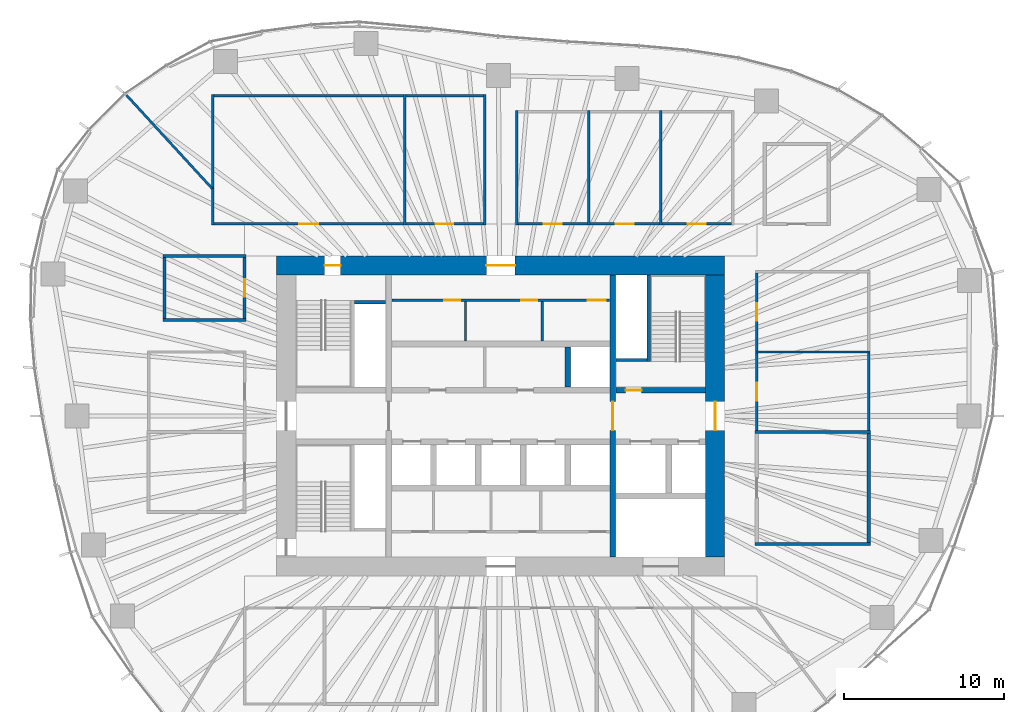
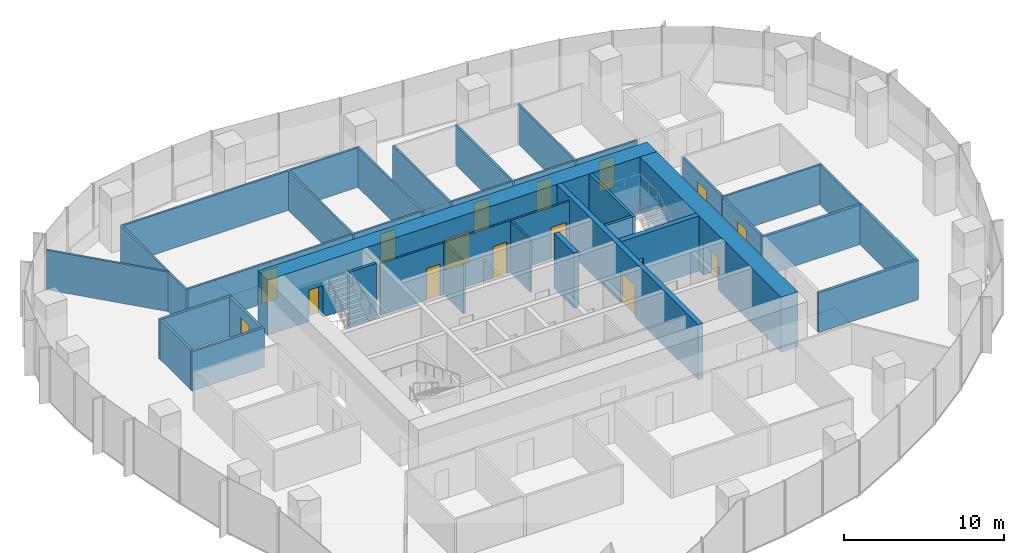
# One storey, part 10 of 18: 36 walls, 16 doors, 16 openings.
"""IFC4 building model written with IfcOpenShell, lengths in metres."""

from ifc_helpers import new_model, si_unit, direction, frame, frame_2d, origin, place, context, subcontext, project, spatial, rectangle, extrude, material, layer, layer_set, type_object, element, fill, save


model = new_model("IFC4")

# Units and contexts
model_context = context("Model", 3, precision=1e-05, world=origin(), true_north=direction((0.0, 1.0)))
body_context = subcontext(model_context, "Body", "Model", "MODEL_VIEW")
ifc_project = project(units=[si_unit("LENGTHUNIT", "METRE"), si_unit("AREAUNIT", "SQUARE_METRE"), si_unit("VOLUMEUNIT", "CUBIC_METRE"), si_unit("PLANEANGLEUNIT", "RADIAN"), si_unit("MASSUNIT", "GRAM", prefix="KILO")], contexts=[model_context])

# Site, building, storey
site_placement = place(None, origin())
site = spatial("IfcSite", under=ifc_project, at=site_placement, CompositionType="ELEMENT")
building_placement = place(site_placement, origin())
building = spatial("IfcBuilding", under=site, at=building_placement, Name="Ghaith Harvest Tower", CompositionType="ELEMENT")
storey_placement = place(building_placement, frame((0.0, 0.0, 117.60009765625)))
storey = spatial("IfcBuildingStorey", under=building, at=storey_placement, Name="L24", CompositionType="ELEMENT", Elevation=117.60009765625)

# Walls
ifc_material_1 = material(Name="Twin-stud gypsum board, acoustic", Category="gypsum")
ifc_layer_1 = layer(ifc_material_1, 0.199951171875)
ifc_layer_set_1 = layer_set([ifc_layer_1], Name="ACOUSTIC PARTITION 200")
wall_type_1 = type_object("IfcWallType", Name="ACOUSTIC PARTITION 200", PredefinedType="PARTITIONING", material=ifc_layer_set_1)
for number, where, z_axis, x_axis, name in (
    (1, (15.89990234375, -8.0, 0.0), (0.0, 0.0, 1.0), (1.0, 0.0, 0.0), "Partition L24 row E5 cross wall 1"),
    (2, (15.89990234375, -1.0, 0.0), (0.0, 0.0, 1.0), (1.0, 0.0, 0.0), "Partition L24 row E5 cross wall 2"),
):
    element("IfcWall", number, at=place(storey_placement, frame(where, z_axis=z_axis, x_axis=x_axis)), inside=storey, type_object=wall_type_1, Name=name, PredefinedType="PARTITIONING", context=body_context, shape_type="SweptSolid", body=[
        extrude(rectangle(XDim=7.2001953125, YDim=0.199951171875, at=frame_2d((3.60009765625, 0.0))), origin(), (0.0, 0.0, 1.0), 3.0),
    ])
wall_1_placement = place(storey_placement, frame((23.0, -7.89990234375, 0.0), z_axis=(0.0, 0.0, 1.0), x_axis=(0.0, 1.0, 0.0)))
element("IfcWall", 3, at=wall_1_placement, inside=storey, type_object=wall_type_1, Name="Partition L24-10", PredefinedType="PARTITIONING", context=body_context, shape_type="SweptSolid", body=[
    extrude(rectangle(XDim=6.7998046875, YDim=0.199951171875, at=frame_2d((3.39990234375, 0.0))), origin(), (0.0, 0.0, 1.0), 3.0),
])
for number, where, z_axis, x_axis, name in (
    (4, (-15.89990234375, 6.0, 0.0), (0.0, 0.0, 1.0), (-1.0, 0.0, 0.0), "Partition L24 row W8 cross wall 1"),
    (5, (-15.89990234375, 10.0, 0.0), (0.0, 0.0, 1.0), (-1.0, 0.0, 0.0), "Partition L24 row W8 cross wall 2"),
):
    element("IfcWall", number, at=place(storey_placement, frame(where, z_axis=z_axis, x_axis=x_axis)), inside=storey, type_object=wall_type_1, Name=name, PredefinedType="PARTITIONING", context=body_context, shape_type="SweptSolid", body=[
        extrude(rectangle(XDim=5.2001953125, YDim=0.199951171875, at=frame_2d((2.60009765625, 0.0))), origin(), (0.0, 0.0, 1.0), 3.0),
    ])

# Wall, opening, door
wall_2_placement = place(storey_placement, frame((-16.0, 6.10009765625, 0.0), z_axis=(0.0, 0.0, 1.0), x_axis=(0.0, 1.0, 0.0)))
wall_2 = element("IfcWall", 6, at=wall_2_placement, inside=storey, type_object=wall_type_1, Name="Partition L24-16", PredefinedType="PARTITIONING", context=body_context, shape_type="SweptSolid", body=[
    extrude(rectangle(XDim=3.7998046875, YDim=0.199951171875, at=frame_2d((1.89990234375, 0.0))), origin(), (0.0, 0.0, 1.0), 3.0),
])
opening_1_placement = place(wall_2_placement, frame((1.35009765625, 0.0, 0.0)))
opening_1 = element("IfcOpeningElement", 7, at=opening_1_placement, cuts=wall_2, Name="Opening 24-041", PredefinedType="OPENING", context=body_context, shape_type="SweptSolid", body=[
    extrude(rectangle(XDim=1.10009765625, YDim=2.300048828125, at=frame_2d((0.550048828125, 1.14990234375))), frame((0.0, 0.10986328125, 0.0), z_axis=(0.0, -1.0, 0.0), x_axis=(1.0, 0.0, 0.0)), (0.0, 0.0, 1.0), 0.219970703125),
])
ifc_material_2 = material(Name="Timber-framed glazed door", Category="wood")
door_type_1 = type_object("IfcDoorType", Name="D12 GLAZED OFFICE 1100x2300", OperationType="SINGLE_SWING_LEFT", PredefinedType="DOOR", material=ifc_material_2)
door_1_placement = place(opening_1_placement, origin())
door_1 = element("IfcDoor", 8, at=door_1_placement, inside=storey, type_object=door_type_1, Name="Quiet room door", OperationType="SINGLE_SWING_LEFT", OverallHeight=2.300048828125, OverallWidth=1.10009765625, PredefinedType="DOOR", context=body_context, shape_type="SweptSolid", body=[
    extrude(rectangle(XDim=1.10009765625, YDim=2.300048828125, at=frame_2d((0.550048828125, 1.14990234375))), frame((0.0, 0.02490234375, 0.0), z_axis=(0.0, -1.0, 0.0), x_axis=(1.0, 0.0, 0.0)), (0.0, 0.0, 1.0), 0.050048828125),
])
fill(opening_1, door_1)

# Wall
wall_3_placement = place(storey_placement, frame((-21.0, 6.10009765625, 0.0), z_axis=(0.0, 0.0, 1.0), x_axis=(0.0, 1.0, 0.0)))
element("IfcWall", 9, at=wall_3_placement, inside=storey, type_object=wall_type_1, Name="Partition L24-16", PredefinedType="PARTITIONING", context=body_context, shape_type="SweptSolid", body=[
    extrude(rectangle(XDim=3.7998046875, YDim=0.199951171875, at=frame_2d((1.89990234375, 0.0))), origin(), (0.0, 0.0, 1.0), 3.0),
])

# Wall, openings, doors
ifc_material_3 = material(Name="Concrete blockwork, fair-faced", Category="masonry")
ifc_layer_2 = layer(ifc_material_3, 0.139892578125)
ifc_layer_set_2 = layer_set([ifc_layer_2], Name="CORE PARTITION 140")
wall_type_2 = type_object("IfcWallType", Name="CORE PARTITION 140", PredefinedType="PARTITIONING", material=ifc_layer_set_2)
wall_4_placement = place(storey_placement, frame((-6.800048828125, 7.22998046875, 0.0), z_axis=(0.0, 0.0, 1.0), x_axis=(1.0, 0.0, 0.0)))
wall_4 = element("IfcWall", 10, at=wall_4_placement, inside=storey, type_object=wall_type_2, Name="Core partition L24", PredefinedType="PARTITIONING", context=body_context, shape_type="SweptSolid", body=[
    extrude(rectangle(XDim=13.60009765625, YDim=0.139892578125, at=frame_2d((6.800048828125, 0.0))), origin(), (0.0, 0.0, 1.0), 3.949951171875),
])
opening_2_placement = place(wall_4_placement, frame((3.280029296875, 0.0, 0.0)))
opening_2 = element("IfcOpeningElement", 11, at=opening_2_placement, cuts=wall_4, Name="Opening 24-008", PredefinedType="OPENING", context=body_context, shape_type="SweptSolid", body=[
    extrude(rectangle(XDim=1.0, YDim=2.39990234375, at=frame_2d((0.5, 1.199951171875))), frame((0.0, 0.080078125, 0.0), z_axis=(0.0, -1.0, 0.0), x_axis=(1.0, 0.0, 0.0)), (0.0, 0.0, 1.0), 0.159912109375),
])
opening_3_placement = place(wall_4_placement, frame((8.080078125, 0.0, 0.0)))
opening_3 = element("IfcOpeningElement", 12, at=opening_3_placement, cuts=wall_4, Name="Opening 24-009", PredefinedType="OPENING", context=body_context, shape_type="SweptSolid", body=[
    extrude(rectangle(XDim=1.0, YDim=2.39990234375, at=frame_2d((0.5, 1.199951171875))), frame((0.0, 0.080078125, 0.0), z_axis=(0.0, -1.0, 0.0), x_axis=(1.0, 0.0, 0.0)), (0.0, 0.0, 1.0), 0.159912109375),
])
opening_4_placement = place(wall_4_placement, frame((12.25, 0.0, 0.0)))
opening_4 = element("IfcOpeningElement", 13, at=opening_4_placement, cuts=wall_4, Name="Opening 24-010", PredefinedType="OPENING", context=body_context, shape_type="SweptSolid", body=[
    extrude(rectangle(XDim=1.10009765625, YDim=2.39990234375, at=frame_2d((0.550048828125, 1.199951171875))), frame((0.0, 0.080078125, 0.0), z_axis=(0.0, -1.0, 0.0), x_axis=(1.0, 0.0, 0.0)), (0.0, 0.0, 1.0), 0.159912109375),
])
ifc_material_4 = material(Name="Steel fire door", Category="steel")
door_type_2 = type_object("IfcDoorType", Name="D3 FD90 1000x2400", OperationType="SINGLE_SWING_LEFT", PredefinedType="DOOR", material=ifc_material_4)
door_2_placement = place(opening_2_placement, origin())
door_2 = element("IfcDoor", 14, at=door_2_placement, inside=storey, type_object=door_type_2, Name="Female WC door", OperationType="SINGLE_SWING_LEFT", OverallHeight=2.39990234375, OverallWidth=1.0, PredefinedType="DOOR", context=body_context, shape_type="SweptSolid", body=[
    extrude(rectangle(XDim=1.0, YDim=2.39990234375, at=frame_2d((0.5, 1.199951171875))), frame((0.0, 0.02490234375, 0.0), z_axis=(0.0, -1.0, 0.0), x_axis=(1.0, 0.0, 0.0)), (0.0, 0.0, 1.0), 0.050048828125),
])
fill(opening_2, door_2)
door_3_placement = place(opening_3_placement, origin())
door_3 = element("IfcDoor", 15, at=door_3_placement, inside=storey, type_object=door_type_2, Name="Male WC door", OperationType="SINGLE_SWING_RIGHT", OverallHeight=2.39990234375, OverallWidth=1.0, PredefinedType="DOOR", context=body_context, shape_type="SweptSolid", body=[
    extrude(rectangle(XDim=1.0, YDim=2.39990234375, at=frame_2d((0.5, 1.199951171875))), frame((0.0, 0.02490234375, 0.0), z_axis=(0.0, -1.0, 0.0), x_axis=(1.0, 0.0, 0.0)), (0.0, 0.0, 1.0), 0.050048828125),
])
fill(opening_3, door_3)
ifc_material_5 = material(Name="Steel fire door", Category="steel")
door_type_3 = type_object("IfcDoorType", Name="D9 FD90 1100x2400", OperationType="SINGLE_SWING_LEFT", PredefinedType="DOOR", material=ifc_material_5)
door_4_placement = place(opening_4_placement, origin())
door_4 = element("IfcDoor", 16, at=door_4_placement, inside=storey, type_object=door_type_3, Name="Accessible WC door", OperationType="SINGLE_SWING_RIGHT", OverallHeight=2.39990234375, OverallWidth=1.10009765625, PredefinedType="DOOR", context=body_context, shape_type="SweptSolid", body=[
    extrude(rectangle(XDim=1.10009765625, YDim=2.39990234375, at=frame_2d((0.550048828125, 1.199951171875))), frame((0.0, 0.02490234375, 0.0), z_axis=(0.0, -1.0, 0.0), x_axis=(1.0, 0.0, 0.0)), (0.0, 0.0, 1.0), 0.050048828125),
])
fill(opening_4, door_4)

# Walls
for number, where, z_axis, x_axis, name in (
    (17, (-2.199951171875, 4.699951171875, 0.0), (0.0, 0.0, 1.0), (0.0, 1.0, 0.0), "Core partition L24"),
    (18, (2.60009765625, 4.699951171875, 0.0), (0.0, 0.0, 1.0), (0.0, 1.0, 0.0), "Core partition L24"),
):
    element("IfcWall", number, at=place(storey_placement, frame(where, z_axis=z_axis, x_axis=x_axis)), inside=storey, type_object=wall_type_2, Name=name, PredefinedType="PARTITIONING", context=body_context, shape_type="SweptSolid", body=[
        extrude(rectangle(XDim=2.4599609375, YDim=0.139892578125, at=frame_2d((1.22998046875, 0.0))), origin(), (0.0, 0.0, 1.0), 3.949951171875),
    ])

# Wall, openings, doors
ifc_material_6 = material(Name="Concrete C60/75", Category="concrete")
ifc_layer_3 = layer(ifc_material_6, 1.199951171875)
ifc_layer_set_3 = layer_set([ifc_layer_3], Name="CORE WALL CW1200 C60")
wall_type_3 = type_object("IfcWallType", Name="CORE WALL CW1200 C60", PredefinedType="SHEAR", material=ifc_layer_set_3)
wall_5_placement = place(storey_placement, frame((14.0, 9.39990234375, 0.0), z_axis=(0.0, 0.0, 1.0), x_axis=(-1.0, 0.0, 0.0)))
wall_5 = element("IfcWall", 19, at=wall_5_placement, inside=storey, type_object=wall_type_3, Name="Core wall N L24", PredefinedType="SHEAR", context=body_context, shape_type="SweptSolid", body=[
    extrude(rectangle(XDim=28.0, YDim=1.199951171875, at=frame_2d((14.0, 0.0))), origin(), (0.0, 0.0, 1.0), 4.199951171875),
])
opening_5_placement = place(wall_5_placement, frame((24.0, 0.0, 0.0)))
opening_5 = element("IfcOpeningElement", 20, at=opening_5_placement, cuts=wall_5, Name="Opening 24-005", PredefinedType="OPENING", context=body_context, shape_type="SweptSolid", body=[
    extrude(rectangle(XDim=1.0, YDim=2.39990234375, at=frame_2d((0.5, 1.199951171875))), frame((0.0, 0.60986328125, 0.0), z_axis=(0.0, -1.0, 0.0), x_axis=(1.0, 0.0, 0.0)), (0.0, 0.0, 1.0), 1.219970703125),
])
opening_6_placement = place(wall_5_placement, frame((13.10009765625, 0.0, 0.0)))
opening_6 = element("IfcOpeningElement", 21, at=opening_6_placement, cuts=wall_5, Name="Opening 24-017", PredefinedType="OPENING", context=body_context, shape_type="SweptSolid", body=[
    extrude(rectangle(XDim=1.800048828125, YDim=2.39990234375, at=frame_2d((0.89990234375, 1.199951171875))), frame((0.0, 0.60986328125, 0.0), z_axis=(0.0, -1.0, 0.0), x_axis=(1.0, 0.0, 0.0)), (0.0, 0.0, 1.0), 1.219970703125),
])
door_5_placement = place(opening_5_placement, origin())
door_5 = element("IfcDoor", 22, at=door_5_placement, inside=storey, type_object=door_type_2, Name="Stair ST1 door", OperationType="SINGLE_SWING_RIGHT", OverallHeight=2.39990234375, OverallWidth=1.0, PredefinedType="DOOR", context=body_context, shape_type="SweptSolid", body=[
    extrude(rectangle(XDim=1.0, YDim=2.39990234375, at=frame_2d((0.5, 1.199951171875))), frame((0.0, 0.02490234375, 0.0), z_axis=(0.0, -1.0, 0.0), x_axis=(1.0, 0.0, 0.0)), (0.0, 0.0, 1.0), 0.050048828125),
])
fill(opening_5, door_5)
ifc_material_7 = material(Name="Steel fire door", Category="steel")
door_type_4 = type_object("IfcDoorType", Name="D4 FD90 PAIR 1800x2400", OperationType="DOUBLE_DOOR_SINGLE_SWING", PredefinedType="DOOR", material=ifc_material_7)
door_6_placement = place(opening_6_placement, origin())
door_6 = element("IfcDoor", 23, at=door_6_placement, inside=storey, type_object=door_type_4, Name="Core service corridor doors", OperationType="DOUBLE_DOOR_SINGLE_SWING", OverallHeight=2.39990234375, OverallWidth=1.800048828125, PredefinedType="DOOR", context=body_context, shape_type="SweptSolid", body=[
    extrude(rectangle(XDim=1.800048828125, YDim=2.39990234375, at=frame_2d((0.89990234375, 1.199951171875))), frame((0.0, 0.02490234375, 0.0), z_axis=(0.0, -1.0, 0.0), x_axis=(1.0, 0.0, 0.0)), (0.0, 0.0, 1.0), 0.050048828125),
])
fill(opening_6, door_6)

# Wall, opening, door
wall_6_placement = place(storey_placement, frame((13.39990234375, -8.800048828125, 0.0), z_axis=(0.0, 0.0, 1.0), x_axis=(0.0, 1.0, 0.0)))
wall_6 = element("IfcWall", 24, at=wall_6_placement, inside=storey, type_object=wall_type_3, Name="Core wall E L24", PredefinedType="SHEAR", context=body_context, shape_type="SweptSolid", body=[
    extrude(rectangle(XDim=17.60009765625, YDim=1.199951171875, at=frame_2d((8.800048828125, 0.0))), origin(), (0.0, 0.0, 1.0), 4.199951171875),
])
opening_7_placement = place(wall_6_placement, frame((7.89990234375, 0.0, 0.0)))
opening_7 = element("IfcOpeningElement", 25, at=opening_7_placement, cuts=wall_6, Name="Opening 24-002", PredefinedType="OPENING", context=body_context, shape_type="SweptSolid", body=[
    extrude(rectangle(XDim=1.800048828125, YDim=2.39990234375, at=frame_2d((0.89990234375, 1.199951171875))), frame((0.0, 0.60986328125, 0.0), z_axis=(0.0, -1.0, 0.0), x_axis=(1.0, 0.0, 0.0)), (0.0, 0.0, 1.0), 1.219970703125),
])
door_7_placement = place(opening_7_placement, origin())
door_7 = element("IfcDoor", 26, at=door_7_placement, inside=storey, type_object=door_type_4, Name="Fire-fighting lobby doors", OperationType="DOUBLE_DOOR_SINGLE_SWING", OverallHeight=2.39990234375, OverallWidth=1.800048828125, PredefinedType="DOOR", context=body_context, shape_type="SweptSolid", body=[
    extrude(rectangle(XDim=1.800048828125, YDim=2.39990234375, at=frame_2d((0.89990234375, 1.199951171875))), frame((0.0, 0.02490234375, 0.0), z_axis=(0.0, -1.0, 0.0), x_axis=(1.0, 0.0, 0.0)), (0.0, 0.0, 1.0), 0.050048828125),
])
fill(opening_7, door_7)

# Walls
ifc_material_8 = material(Name="Gypsum board on steel studs", Category="steel")
ifc_layer_4 = layer(ifc_material_8, 0.14990234375)
ifc_layer_set_4 = layer_set([ifc_layer_4], Name="PARTITION 150")
wall_type_4 = type_object("IfcWallType", Name="PARTITION 150", PredefinedType="PARTITIONING", material=ifc_layer_set_4)
for number, where, z_axis, x_axis, name in (
    (27, (-18.0, 11.925048828125, 0.0), (0.0, 0.0, 1.0), (0.0, 1.0, 0.0), "Partition L24 row N1 cross wall 1"),
    (28, (-6.0, 11.925048828125, 0.0), (0.0, 0.0, 1.0), (0.0, 1.0, 0.0), "Partition L24 row N1 cross wall 2"),
    (29, (-1.0, 11.925048828125, 0.0), (0.0, 0.0, 1.0), (0.0, 1.0, 0.0), "Partition L24 row N1 cross wall 3"),
):
    element("IfcWall", number, at=place(storey_placement, frame(where, z_axis=z_axis, x_axis=x_axis)), inside=storey, type_object=wall_type_4, Name=name, PredefinedType="PARTITIONING", context=body_context, shape_type="SweptSolid", body=[
        extrude(rectangle(XDim=8.14990234375, YDim=0.14990234375, at=frame_2d((4.074951171875, 0.0))), origin(), (0.0, 0.0, 1.0), 3.0),
    ])

# Wall, opening, door
wall_7_placement = place(storey_placement, frame((-17.925048828125, 12.0, 0.0), z_axis=(0.0, 0.0, 1.0), x_axis=(1.0, 0.0, 0.0)))
wall_7 = element("IfcWall", 30, at=wall_7_placement, inside=storey, type_object=wall_type_4, Name="Partition L24-01", PredefinedType="PARTITIONING", context=body_context, shape_type="SweptSolid", body=[
    extrude(rectangle(XDim=11.85009765625, YDim=0.14990234375, at=frame_2d((5.925048828125, 0.0))), origin(), (0.0, 0.0, 1.0), 3.0),
])
opening_8_placement = place(wall_7_placement, frame((5.324951171875, 0.0, 0.0)))
opening_8 = element("IfcOpeningElement", 31, at=opening_8_placement, cuts=wall_7, Name="Opening 24-026", PredefinedType="OPENING", context=body_context, shape_type="SweptSolid", body=[
    extrude(rectangle(XDim=1.199951171875, YDim=2.39990234375, at=frame_2d((0.60009765625, 1.199951171875))), frame((0.0, 0.0849609375, 0.0), z_axis=(0.0, -1.0, 0.0), x_axis=(1.0, 0.0, 0.0)), (0.0, 0.0, 1.0), 0.169921875),
])
ifc_material_9 = material(Name="Timber door", Category="wood")
door_type_5 = type_object("IfcDoorType", Name="D11 GLAZED 1200x2400", OperationType="SINGLE_SWING_LEFT", PredefinedType="DOOR", material=ifc_material_9)
door_8_placement = place(opening_8_placement, origin())
door_8 = element("IfcDoor", 32, at=door_8_placement, inside=storey, type_object=door_type_5, Name="Agronomy studio door", OperationType="SINGLE_SWING_LEFT", OverallHeight=2.39990234375, OverallWidth=1.199951171875, PredefinedType="DOOR", context=body_context, shape_type="SweptSolid", body=[
    extrude(rectangle(XDim=1.199951171875, YDim=2.39990234375, at=frame_2d((0.60009765625, 1.199951171875))), frame((0.0, 0.02490234375, 0.0), z_axis=(0.0, -1.0, 0.0), x_axis=(1.0, 0.0, 0.0)), (0.0, 0.0, 1.0), 0.050048828125),
])
fill(opening_8, door_8)

# Wall
wall_8_placement = place(storey_placement, frame((-17.925048828125, 20.0, 0.0), z_axis=(0.0, 0.0, 1.0), x_axis=(1.0, 0.0, 0.0)))
element("IfcWall", 33, at=wall_8_placement, inside=storey, type_object=wall_type_4, Name="Partition L24-01", PredefinedType="PARTITIONING", context=body_context, shape_type="SweptSolid", body=[
    extrude(rectangle(XDim=11.85009765625, YDim=0.14990234375, at=frame_2d((5.925048828125, 0.0))), origin(), (0.0, 0.0, 1.0), 3.0),
])

# Wall, opening, door
wall_9_placement = place(storey_placement, frame((-5.925048828125, 12.0, 0.0), z_axis=(0.0, 0.0, 1.0), x_axis=(1.0, 0.0, 0.0)))
wall_9 = element("IfcWall", 34, at=wall_9_placement, inside=storey, type_object=wall_type_4, Name="Partition L24-02", PredefinedType="PARTITIONING", context=body_context, shape_type="SweptSolid", body=[
    extrude(rectangle(XDim=4.85009765625, YDim=0.14990234375, at=frame_2d((2.425048828125, 0.0))), origin(), (0.0, 0.0, 1.0), 3.0),
])
opening_9_placement = place(wall_9_placement, frame((1.875, 0.0, 0.0)))
opening_9 = element("IfcOpeningElement", 35, at=opening_9_placement, cuts=wall_9, Name="Opening 24-027", PredefinedType="OPENING", context=body_context, shape_type="SweptSolid", body=[
    extrude(rectangle(XDim=1.10009765625, YDim=2.300048828125, at=frame_2d((0.550048828125, 1.14990234375))), frame((0.0, 0.0849609375, 0.0), z_axis=(0.0, -1.0, 0.0), x_axis=(1.0, 0.0, 0.0)), (0.0, 0.0, 1.0), 0.169921875),
])
door_9_placement = place(opening_9_placement, origin())
door_9 = element("IfcDoor", 36, at=door_9_placement, inside=storey, type_object=door_type_1, Name="Office door", OperationType="SINGLE_SWING_LEFT", OverallHeight=2.300048828125, OverallWidth=1.10009765625, PredefinedType="DOOR", context=body_context, shape_type="SweptSolid", body=[
    extrude(rectangle(XDim=1.10009765625, YDim=2.300048828125, at=frame_2d((0.550048828125, 1.14990234375))), frame((0.0, 0.02490234375, 0.0), z_axis=(0.0, -1.0, 0.0), x_axis=(1.0, 0.0, 0.0)), (0.0, 0.0, 1.0), 0.050048828125),
])
fill(opening_9, door_9)

# Walls
wall_10_placement = place(storey_placement, frame((-5.925048828125, 20.0, 0.0), z_axis=(0.0, 0.0, 1.0), x_axis=(1.0, 0.0, 0.0)))
element("IfcWall", 37, at=wall_10_placement, inside=storey, type_object=wall_type_4, Name="Partition L24-02", PredefinedType="PARTITIONING", context=body_context, shape_type="SweptSolid", body=[
    extrude(rectangle(XDim=4.85009765625, YDim=0.14990234375, at=frame_2d((2.425048828125, 0.0))), origin(), (0.0, 0.0, 1.0), 3.0),
])
for number, where, z_axis, x_axis, name in (
    (38, (1.0, 11.925048828125, 0.0), (0.0, 0.0, 1.0), (0.0, 1.0, 0.0), "Partition L24 row N2 cross wall 1"),
    (39, (5.5, 11.925048828125, 0.0), (0.0, 0.0, 1.0), (0.0, 1.0, 0.0), "Partition L24 row N2 cross wall 2"),
    (40, (10.0, 11.925048828125, 0.0), (0.0, 0.0, 1.0), (0.0, 1.0, 0.0), "Partition L24 row N2 cross wall 3"),
):
    element("IfcWall", number, at=place(storey_placement, frame(where, z_axis=z_axis, x_axis=x_axis)), inside=storey, type_object=wall_type_4, Name=name, PredefinedType="PARTITIONING", context=body_context, shape_type="SweptSolid", body=[
        extrude(rectangle(XDim=7.14990234375, YDim=0.14990234375, at=frame_2d((3.574951171875, 0.0))), origin(), (0.0, 0.0, 1.0), 3.0),
    ])

# Wall, opening, door
wall_11_placement = place(storey_placement, frame((1.074951171875, 12.0, 0.0), z_axis=(0.0, 0.0, 1.0), x_axis=(1.0, 0.0, 0.0)))
wall_11 = element("IfcWall", 41, at=wall_11_placement, inside=storey, type_object=wall_type_4, Name="Partition L24-03", PredefinedType="PARTITIONING", context=body_context, shape_type="SweptSolid", body=[
    extrude(rectangle(XDim=4.35009765625, YDim=0.14990234375, at=frame_2d((2.175048828125, 0.0))), origin(), (0.0, 0.0, 1.0), 3.0),
])
opening_10_placement = place(wall_11_placement, frame((1.625, 0.0, 0.0)))
opening_10 = element("IfcOpeningElement", 42, at=opening_10_placement, cuts=wall_11, Name="Opening 24-028", PredefinedType="OPENING", context=body_context, shape_type="SweptSolid", body=[
    extrude(rectangle(XDim=1.10009765625, YDim=2.300048828125, at=frame_2d((0.550048828125, 1.14990234375))), frame((0.0, 0.0849609375, 0.0), z_axis=(0.0, -1.0, 0.0), x_axis=(1.0, 0.0, 0.0)), (0.0, 0.0, 1.0), 0.169921875),
])
door_10_placement = place(opening_10_placement, origin())
door_10 = element("IfcDoor", 43, at=door_10_placement, inside=storey, type_object=door_type_1, Name="Office door", OperationType="SINGLE_SWING_LEFT", OverallHeight=2.300048828125, OverallWidth=1.10009765625, PredefinedType="DOOR", context=body_context, shape_type="SweptSolid", body=[
    extrude(rectangle(XDim=1.10009765625, YDim=2.300048828125, at=frame_2d((0.550048828125, 1.14990234375))), frame((0.0, 0.02490234375, 0.0), z_axis=(0.0, -1.0, 0.0), x_axis=(1.0, 0.0, 0.0)), (0.0, 0.0, 1.0), 0.050048828125),
])
fill(opening_10, door_10)

wall_12_placement = place(storey_placement, frame((5.574951171875, 12.0, 0.0), z_axis=(0.0, 0.0, 1.0), x_axis=(1.0, 0.0, 0.0)))
wall_12 = element("IfcWall", 44, at=wall_12_placement, inside=storey, type_object=wall_type_4, Name="Partition L24-04", PredefinedType="PARTITIONING", context=body_context, shape_type="SweptSolid", body=[
    extrude(rectangle(XDim=4.35009765625, YDim=0.14990234375, at=frame_2d((2.175048828125, 0.0))), origin(), (0.0, 0.0, 1.0), 3.0),
])
opening_11_placement = place(wall_12_placement, frame((1.625, 0.0, 0.0)))
opening_11 = element("IfcOpeningElement", 45, at=opening_11_placement, cuts=wall_12, Name="Opening 24-029", PredefinedType="OPENING", context=body_context, shape_type="SweptSolid", body=[
    extrude(rectangle(XDim=1.10009765625, YDim=2.300048828125, at=frame_2d((0.550048828125, 1.14990234375))), frame((0.0, 0.0849609375, 0.0), z_axis=(0.0, -1.0, 0.0), x_axis=(1.0, 0.0, 0.0)), (0.0, 0.0, 1.0), 0.169921875),
])
door_11_placement = place(opening_11_placement, origin())
door_11 = element("IfcDoor", 46, at=door_11_placement, inside=storey, type_object=door_type_1, Name="Office door", OperationType="SINGLE_SWING_LEFT", OverallHeight=2.300048828125, OverallWidth=1.10009765625, PredefinedType="DOOR", context=body_context, shape_type="SweptSolid", body=[
    extrude(rectangle(XDim=1.10009765625, YDim=2.300048828125, at=frame_2d((0.550048828125, 1.14990234375))), frame((0.0, 0.02490234375, 0.0), z_axis=(0.0, -1.0, 0.0), x_axis=(1.0, 0.0, 0.0)), (0.0, 0.0, 1.0), 0.050048828125),
])
fill(opening_11, door_11)

wall_13_placement = place(storey_placement, frame((10.074951171875, 12.0, 0.0), z_axis=(0.0, 0.0, 1.0), x_axis=(1.0, 0.0, 0.0)))
wall_13 = element("IfcWall", 47, at=wall_13_placement, inside=storey, type_object=wall_type_4, Name="Partition L24-05", PredefinedType="PARTITIONING", context=body_context, shape_type="SweptSolid", body=[
    extrude(rectangle(XDim=4.35009765625, YDim=0.14990234375, at=frame_2d((2.175048828125, 0.0))), origin(), (0.0, 0.0, 1.0), 3.0),
])
opening_12_placement = place(wall_13_placement, frame((1.625, 0.0, 0.0)))
opening_12 = element("IfcOpeningElement", 48, at=opening_12_placement, cuts=wall_13, Name="Opening 24-030", PredefinedType="OPENING", context=body_context, shape_type="SweptSolid", body=[
    extrude(rectangle(XDim=1.10009765625, YDim=2.300048828125, at=frame_2d((0.550048828125, 1.14990234375))), frame((0.0, 0.0849609375, 0.0), z_axis=(0.0, -1.0, 0.0), x_axis=(1.0, 0.0, 0.0)), (0.0, 0.0, 1.0), 0.169921875),
])
door_12_placement = place(opening_12_placement, origin())
door_12 = element("IfcDoor", 49, at=door_12_placement, inside=storey, type_object=door_type_1, Name="Office door", OperationType="SINGLE_SWING_LEFT", OverallHeight=2.300048828125, OverallWidth=1.10009765625, PredefinedType="DOOR", context=body_context, shape_type="SweptSolid", body=[
    extrude(rectangle(XDim=1.10009765625, YDim=2.300048828125, at=frame_2d((0.550048828125, 1.14990234375))), frame((0.0, 0.02490234375, 0.0), z_axis=(0.0, -1.0, 0.0), x_axis=(1.0, 0.0, 0.0)), (0.0, 0.0, 1.0), 0.050048828125),
])
fill(opening_12, door_12)

# Wall
wall_14_placement = place(storey_placement, frame((15.925048828125, 4.0, 0.0), z_axis=(0.0, 0.0, 1.0), x_axis=(1.0, 0.0, 0.0)))
element("IfcWall", 50, at=wall_14_placement, inside=storey, type_object=wall_type_4, Name="Partition L24 row E5 cross wall 3", PredefinedType="PARTITIONING", context=body_context, shape_type="SweptSolid", body=[
    extrude(rectangle(XDim=7.14990234375, YDim=0.14990234375, at=frame_2d((3.574951171875, 0.0))), origin(), (0.0, 0.0, 1.0), 3.0),
])

# Wall, opening, door
wall_15_placement = place(storey_placement, frame((16.0, -0.89990234375, 0.0), z_axis=(0.0, 0.0, 1.0), x_axis=(0.0, 1.0, 0.0)))
wall_15 = element("IfcWall", 51, at=wall_15_placement, inside=storey, type_object=wall_type_4, Name="Partition L24-11", PredefinedType="PARTITIONING", context=body_context, shape_type="SweptSolid", body=[
    extrude(rectangle(XDim=4.824951171875, YDim=0.14990234375, at=frame_2d((2.41259765625, 0.0))), origin(), (0.0, 0.0, 1.0), 3.0),
])
opening_13_placement = place(wall_15_placement, frame((1.862548828125, 0.0, 0.0)))
opening_13 = element("IfcOpeningElement", 52, at=opening_13_placement, cuts=wall_15, Name="Opening 24-036", PredefinedType="OPENING", context=body_context, shape_type="SweptSolid", body=[
    extrude(rectangle(XDim=1.10009765625, YDim=2.300048828125, at=frame_2d((0.550048828125, 1.14990234375))), frame((0.0, 0.0849609375, 0.0), z_axis=(0.0, -1.0, 0.0), x_axis=(1.0, 0.0, 0.0)), (0.0, 0.0, 1.0), 0.169921875),
])
door_13_placement = place(opening_13_placement, origin())
door_13 = element("IfcDoor", 53, at=door_13_placement, inside=storey, type_object=door_type_1, Name="Office door", OperationType="SINGLE_SWING_LEFT", OverallHeight=2.300048828125, OverallWidth=1.10009765625, PredefinedType="DOOR", context=body_context, shape_type="SweptSolid", body=[
    extrude(rectangle(XDim=1.10009765625, YDim=2.300048828125, at=frame_2d((0.550048828125, 1.14990234375))), frame((0.0, 0.02490234375, 0.0), z_axis=(0.0, -1.0, 0.0), x_axis=(1.0, 0.0, 0.0)), (0.0, 0.0, 1.0), 0.050048828125),
])
fill(opening_13, door_13)

# Wall
wall_16_placement = place(storey_placement, frame((23.0, -0.89990234375, 0.0), z_axis=(0.0, 0.0, 1.0), x_axis=(0.0, 1.0, 0.0)))
element("IfcWall", 54, at=wall_16_placement, inside=storey, type_object=wall_type_4, Name="Partition L24-11", PredefinedType="PARTITIONING", context=body_context, shape_type="SweptSolid", body=[
    extrude(rectangle(XDim=4.824951171875, YDim=0.14990234375, at=frame_2d((2.41259765625, 0.0))), origin(), (0.0, 0.0, 1.0), 3.0),
])

# Wall, opening, door
wall_17_placement = place(storey_placement, frame((16.0, 4.074951171875, 0.0), z_axis=(0.0, 0.0, 1.0), x_axis=(0.0, 1.0, 0.0)))
wall_17 = element("IfcWall", 55, at=wall_17_placement, inside=storey, type_object=wall_type_4, Name="Partition L24-12", PredefinedType="PARTITIONING", context=body_context, shape_type="SweptSolid", body=[
    extrude(rectangle(XDim=4.85009765625, YDim=0.14990234375, at=frame_2d((2.425048828125, 0.0))), origin(), (0.0, 0.0, 1.0), 3.0),
])
opening_14_placement = place(wall_17_placement, frame((1.875, 0.0, 0.0)))
opening_14 = element("IfcOpeningElement", 56, at=opening_14_placement, cuts=wall_17, Name="Opening 24-037", PredefinedType="OPENING", context=body_context, shape_type="SweptSolid", body=[
    extrude(rectangle(XDim=1.10009765625, YDim=2.300048828125, at=frame_2d((0.550048828125, 1.14990234375))), frame((0.0, 0.0849609375, 0.0), z_axis=(0.0, -1.0, 0.0), x_axis=(1.0, 0.0, 0.0)), (0.0, 0.0, 1.0), 0.169921875),
])
door_14_placement = place(opening_14_placement, origin())
door_14 = element("IfcDoor", 57, at=door_14_placement, inside=storey, type_object=door_type_1, Name="Office door", OperationType="SINGLE_SWING_LEFT", OverallHeight=2.300048828125, OverallWidth=1.10009765625, PredefinedType="DOOR", context=body_context, shape_type="SweptSolid", body=[
    extrude(rectangle(XDim=1.10009765625, YDim=2.300048828125, at=frame_2d((0.550048828125, 1.14990234375))), frame((0.0, 0.02490234375, 0.0), z_axis=(0.0, -1.0, 0.0), x_axis=(1.0, 0.0, 0.0)), (0.0, 0.0, 1.0), 0.050048828125),
])
fill(opening_14, door_14)

# Wall
wall_18_placement = place(storey_placement, frame((-18.02001953125, 14.200927734375, 0.0), z_axis=(0.0, 0.0, 1.0), x_axis=(-0.676162058246, 0.736752923977, 0.0)))
element("IfcWall", 58, at=wall_18_placement, inside=storey, type_object=wall_type_4, Name="Partition L24 zone division", PredefinedType="PARTITIONING", context=body_context, shape_type="SweptSolid", body=[
    extrude(rectangle(XDim=7.933837890625, YDim=0.14990234375, at=frame_2d((3.966796875, 0.0))), origin(), (0.0, 0.0, 1.0), 3.0),
])

# Wall, opening, door
ifc_material_10 = material(Name="Concrete C60/75", Category="concrete")
ifc_layer_5 = layer(ifc_material_10, 0.35009765625)
ifc_layer_set_5 = layer_set([ifc_layer_5], Name="SHAFT WALL 350")
wall_type_5 = type_object("IfcWallType", Name="SHAFT WALL 350", PredefinedType="SHEAR", material=ifc_layer_set_5)
wall_19_placement = place(storey_placement, frame((7.0, -8.800048828125, 0.0), z_axis=(0.0, 0.0, 1.0), x_axis=(0.0, 1.0, 0.0)))
wall_19 = element("IfcWall", 59, at=wall_19_placement, inside=storey, type_object=wall_type_5, Name="Shaft wall W7E L24", PredefinedType="SHEAR", context=body_context, shape_type="SweptSolid", body=[
    extrude(rectangle(XDim=17.60009765625, YDim=0.35009765625, at=frame_2d((8.800048828125, 0.0))), origin(), (0.0, 0.0, 1.0), 4.199951171875),
])
opening_15_placement = place(wall_19_placement, frame((7.89990234375, 0.0, 0.0)))
opening_15 = element("IfcOpeningElement", 60, at=opening_15_placement, cuts=wall_19, Name="Opening 24-004", PredefinedType="OPENING", context=body_context, shape_type="SweptSolid", body=[
    extrude(rectangle(XDim=1.800048828125, YDim=2.39990234375, at=frame_2d((0.89990234375, 1.199951171875))), frame((0.0, 0.18505859375, 0.0), z_axis=(0.0, -1.0, 0.0), x_axis=(1.0, 0.0, 0.0)), (0.0, 0.0, 1.0), 0.3701171875),
])
door_15_placement = place(opening_15_placement, origin())
door_15 = element("IfcDoor", 61, at=door_15_placement, inside=storey, type_object=door_type_4, Name="Lift lobby doors, east", OperationType="DOUBLE_DOOR_SINGLE_SWING", OverallHeight=2.39990234375, OverallWidth=1.800048828125, PredefinedType="DOOR", context=body_context, shape_type="SweptSolid", body=[
    extrude(rectangle(XDim=1.800048828125, YDim=2.39990234375, at=frame_2d((0.89990234375, 1.199951171875))), frame((0.0, 0.02490234375, 0.0), z_axis=(0.0, -1.0, 0.0), x_axis=(1.0, 0.0, 0.0)), (0.0, 0.0, 1.0), 0.050048828125),
])
fill(opening_15, door_15)

wall_20_placement = place(storey_placement, frame((7.199951171875, 1.60009765625, 0.0), z_axis=(0.0, 0.0, 1.0), x_axis=(1.0, 0.0, 0.0)))
wall_20 = element("IfcWall", 62, at=wall_20_placement, inside=storey, type_object=wall_type_5, Name="Shaft wall EN L24", PredefinedType="SHEAR", context=body_context, shape_type="SweptSolid", body=[
    extrude(rectangle(XDim=5.60009765625, YDim=0.35009765625, at=frame_2d((2.800048828125, 0.0))), origin(), (0.0, 0.0, 1.0), 4.199951171875),
])
opening_16_placement = place(wall_20_placement, frame((0.60009765625, 0.0, 0.0)))
opening_16 = element("IfcOpeningElement", 63, at=opening_16_placement, cuts=wall_20, Name="Opening 24-007", PredefinedType="OPENING", context=body_context, shape_type="SweptSolid", body=[
    extrude(rectangle(XDim=1.0, YDim=2.39990234375, at=frame_2d((0.5, 1.199951171875))), frame((0.0, 0.18505859375, 0.0), z_axis=(0.0, -1.0, 0.0), x_axis=(1.0, 0.0, 0.0)), (0.0, 0.0, 1.0), 0.3701171875),
])
door_16_placement = place(opening_16_placement, origin())
door_16 = element("IfcDoor", 64, at=door_16_placement, inside=storey, type_object=door_type_2, Name="Stair ST2 door", OperationType="SINGLE_SWING_LEFT", OverallHeight=2.39990234375, OverallWidth=1.0, PredefinedType="DOOR", context=body_context, shape_type="SweptSolid", body=[
    extrude(rectangle(XDim=1.0, YDim=2.39990234375, at=frame_2d((0.5, 1.199951171875))), frame((0.0, 0.02490234375, 0.0), z_axis=(0.0, -1.0, 0.0), x_axis=(1.0, 0.0, 0.0)), (0.0, 0.0, 1.0), 0.050048828125),
])
fill(opening_16, door_16)

# Walls
wall_21_placement = place(storey_placement, frame((4.199951171875, 1.800048828125, 0.0), z_axis=(0.0, 0.0, 1.0), x_axis=(0.0, 1.0, 0.0)))
element("IfcWall", 65, at=wall_21_placement, inside=storey, type_object=wall_type_5, Name="Shaft wall DN4 L24", PredefinedType="SHEAR", context=body_context, shape_type="SweptSolid", body=[
    extrude(rectangle(XDim=2.5, YDim=0.35009765625, at=frame_2d((1.25, 0.0))), origin(), (0.0, 0.0, 1.0), 4.199951171875),
])
ifc_material_11 = material(Name="Concrete C40/50", Category="concrete")
ifc_layer_6 = layer(ifc_material_11, 0.199951171875)
ifc_layer_set_6 = layer_set([ifc_layer_6], Name="STAIR SPINE WALL RC200")
wall_type_6 = type_object("IfcWallType", Name="STAIR SPINE WALL RC200", PredefinedType="SOLIDWALL", material=ifc_layer_set_6)
wall_22_placement = place(storey_placement, frame((-9.14990234375, 7.10009765625, 0.0), z_axis=(0.0, 0.0, 1.0), x_axis=(1.0, 0.0, 0.0)))
element("IfcWall", 66, at=wall_22_placement, inside=storey, type_object=wall_type_6, Name="Stair ST1 spine wall return L24", PredefinedType="SOLIDWALL", context=body_context, shape_type="SweptSolid", body=[
    extrude(rectangle(XDim=1.949951171875, YDim=0.199951171875, at=frame_2d((0.97509765625, 0.0))), origin(), (0.0, 0.0, 1.0), 4.199951171875),
])
wall_23_placement = place(storey_placement, frame((9.25, 3.39990234375, 0.0), z_axis=(0.0, 0.0, 1.0), x_axis=(0.0, 1.0, 0.0)))
element("IfcWall", 67, at=wall_23_placement, inside=storey, type_object=wall_type_6, Name="Stair ST2 spine wall L24", PredefinedType="SOLIDWALL", context=body_context, shape_type="SweptSolid", body=[
    extrude(rectangle(XDim=5.400146484375, YDim=0.199951171875, at=frame_2d((2.7001953125, 0.0))), origin(), (0.0, 0.0, 1.0), 4.199951171875),
])
wall_24_placement = place(storey_placement, frame((9.14990234375, 3.5, 0.0), z_axis=(0.0, 0.0, 1.0), x_axis=(-1.0, 0.0, 0.0)))
element("IfcWall", 68, at=wall_24_placement, inside=storey, type_object=wall_type_6, Name="Stair ST2 spine wall return L24", PredefinedType="SOLIDWALL", context=body_context, shape_type="SweptSolid", body=[
    extrude(rectangle(XDim=1.949951171875, YDim=0.199951171875, at=frame_2d((0.97509765625, 0.0))), origin(), (0.0, 0.0, 1.0), 4.199951171875),
])

save(model, "model.ifc")
